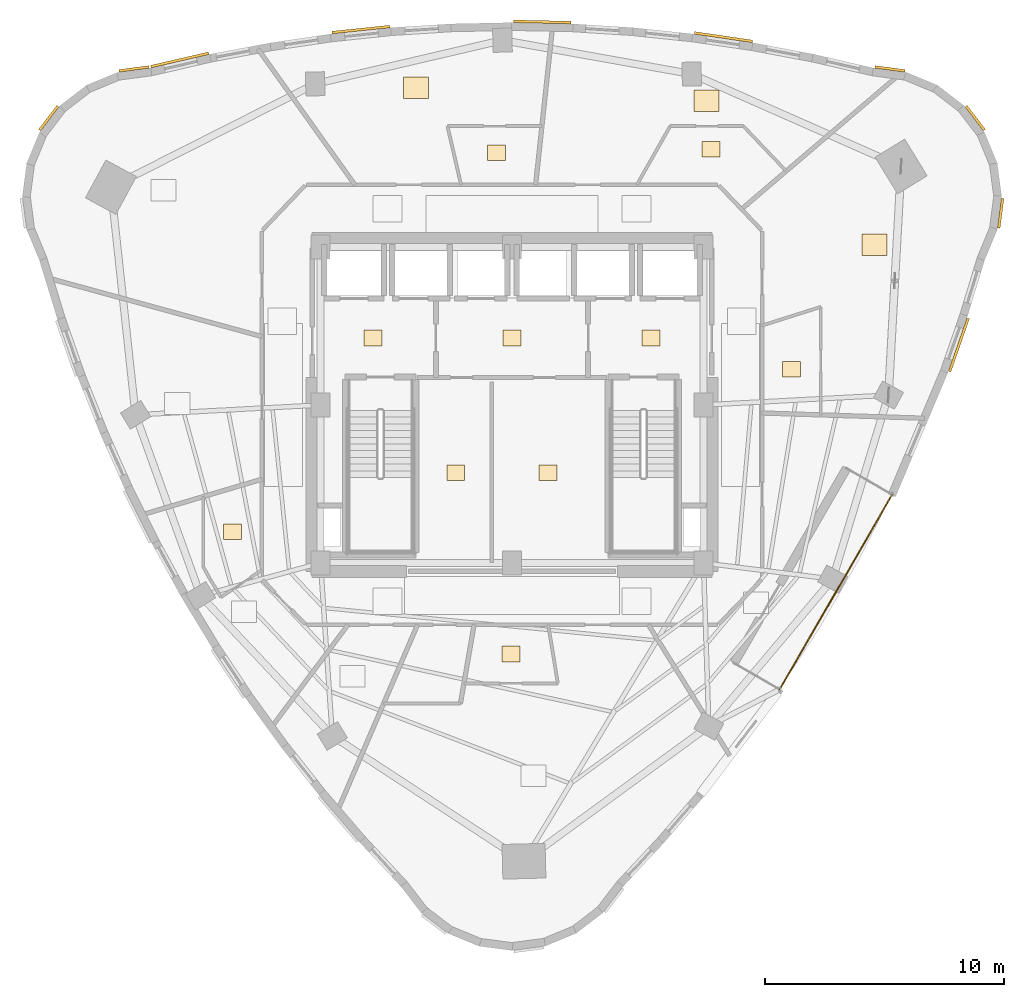
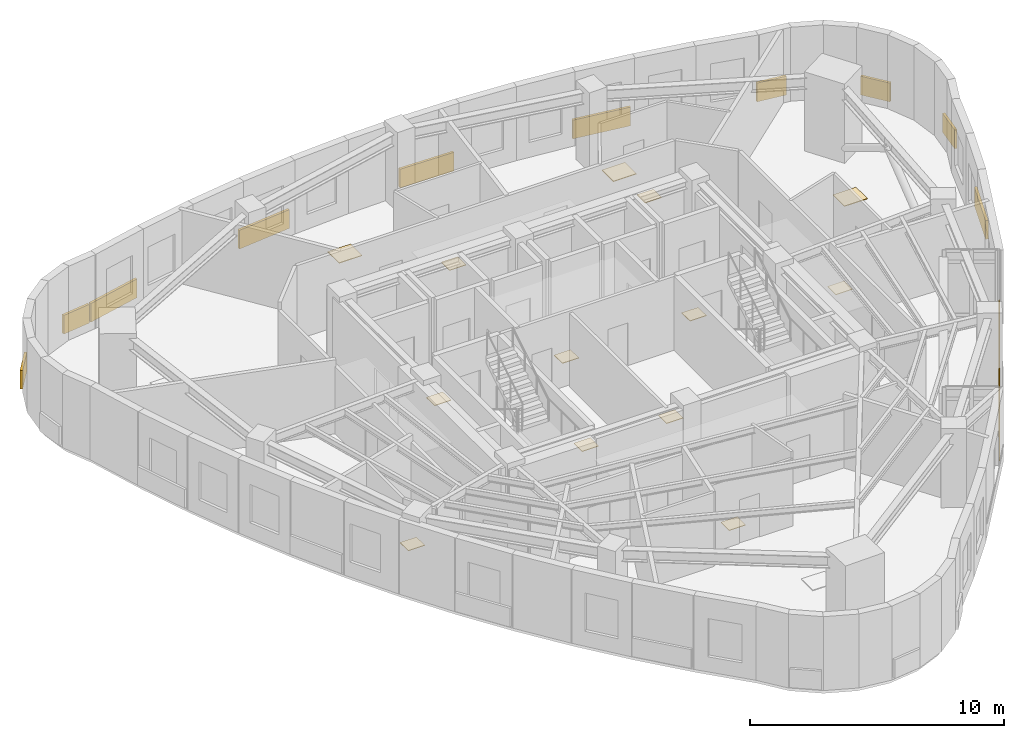
# One storey, part 12 of 12: 23 coverings, 1 railing.
"""IFC4 building model written with IfcOpenShell, lengths in metres."""

from ifc_helpers import new_model, si_unit, direction, frame, origin, origin_2d, place, context, subcontext, project, spatial, rectangle, circle, extrude, material, layer, layer_set, type_object, element, save


model = new_model("IFC4")

# Units and contexts
model_context = context("Model", 3, precision=1e-05, world=origin(), true_north=direction((0.0, 1.0)))
body_context = subcontext(model_context, "Body", "Model", "MODEL_VIEW")
ifc_project = project(units=[si_unit("LENGTHUNIT", "METRE"), si_unit("AREAUNIT", "SQUARE_METRE"), si_unit("VOLUMEUNIT", "CUBIC_METRE"), si_unit("PLANEANGLEUNIT", "RADIAN"), si_unit("MASSUNIT", "GRAM", prefix="KILO")], contexts=[model_context])

# Site, building, storey
site_placement = place(None, origin())
site = spatial("IfcSite", under=ifc_project, at=site_placement, CompositionType="ELEMENT")
building_placement = place(site_placement, origin())
building = spatial("IfcBuilding", under=site, at=building_placement, Name="Ndelora Gate Hotel", CompositionType="ELEMENT")
storey_placement = place(building_placement, frame((0.0, 0.0, 213.14990234375)))
storey = spatial("IfcBuildingStorey", under=building, at=storey_placement, Name="L53", CompositionType="ELEMENT", Elevation=213.14990234375)

# Coverings
ifc_material_1 = material(Name="Terracotta Fired Clay Brick Slip Cladding", Category="masonry")
ifc_layer_1 = layer(ifc_material_1, 0.110107421875)
ifc_layer_set_1 = layer_set([ifc_layer_1], Name="Terracotta Fired Clay Brick Slip Cladding")
covering_type_1 = type_object("IfcCoveringType", Name="COV-CLAD-BRK", PredefinedType="CLADDING", material=ifc_layer_set_1)
for number, where, z_axis, x_axis, name in (
    (1, (-15.794677734375, 14.0419921875, 0.10009765625), (0.0, 0.0, 1.0), (0.991444861374, 0.13052619222, 0.0), "L53 Rounded-Corner Brick Cladding Band 1"),
    (2, (-19.356689453125, 11.985595703125, 0.10009765625), (0.0, 0.0, 1.0), (0.608761429009, 0.793353340291, 0.0), "L53 Rounded-Corner Brick Cladding Band 4"),
):
    element("IfcCovering", number, at=place(storey_placement, frame(where, z_axis=z_axis, x_axis=x_axis)), inside=storey, type_object=covering_type_1, Name=name, PredefinedType="CLADDING", context=body_context, shape_type="SweptSolid", body=[
        extrude(rectangle(XDim=1.258056640625, YDim=0.110107421875, at=origin_2d()), origin(), (0.0, 0.0, 1.0), 0.89990234375),
    ])
covering_1_placement = place(storey_placement, frame((18.67626953125, 2.51025390625, 0.10009765625), z_axis=(0.0, 0.0, 1.0), x_axis=(0.32837212737, 0.94454843495, 0.0)))
element("IfcCovering", 3, at=covering_1_placement, inside=storey, type_object=covering_type_1, Name="L53 Rounded-Corner Brick Cladding Band 37", PredefinedType="CLADDING", context=body_context, shape_type="SweptSolid", body=[
    extrude(rectangle(XDim=2.35888671875, YDim=0.110107421875, at=origin_2d()), origin(), (0.0, 0.0, 1.0), 0.89990234375),
])
covering_2_placement = place(storey_placement, frame((20.42138671875, 8.0126953125, 0.10009765625), z_axis=(0.0, 0.0, 1.0), x_axis=(0.13052619222, 0.991444861374, 0.0)))
element("IfcCovering", 4, at=covering_2_placement, inside=storey, type_object=covering_type_1, Name="L53 Rounded-Corner Brick Cladding Band 40", PredefinedType="CLADDING", context=body_context, shape_type="SweptSolid", body=[
    extrude(rectangle(XDim=1.257080078125, YDim=0.110107421875, at=origin_2d()), origin(), (0.0, 0.0, 1.0), 0.89990234375),
])
for number, where, z_axis, x_axis, name in (
    (5, (19.356689453125, 11.985595703125, 0.10009765625), (0.0, 0.0, 1.0), (-0.608761429009, 0.793353340291, 0.0), "L53 Rounded-Corner Brick Cladding Band 43"),
    (6, (15.794677734375, 14.0419921875, 0.10009765625), (0.0, 0.0, 1.0), (-0.991444861374, 0.13052619222, 0.0), "L53 Rounded-Corner Brick Cladding Band 46"),
):
    element("IfcCovering", number, at=place(storey_placement, frame(where, z_axis=z_axis, x_axis=x_axis)), inside=storey, type_object=covering_type_1, Name=name, PredefinedType="CLADDING", context=body_context, shape_type="SweptSolid", body=[
        extrude(rectangle(XDim=1.258056640625, YDim=0.110107421875, at=origin_2d()), origin(), (0.0, 0.0, 1.0), 0.89990234375),
    ])
covering_3_placement = place(storey_placement, frame((8.836181640625, 15.37060546875, 0.10009765625), z_axis=(0.0, 0.0, 1.0), x_axis=(-0.989399437751, 0.145219670077, 0.0)))
element("IfcCovering", 7, at=covering_3_placement, inside=storey, type_object=covering_type_1, Name="L53 Rounded-Corner Brick Cladding Band 49", PredefinedType="CLADDING", context=body_context, shape_type="SweptSolid", body=[
    extrude(rectangle(XDim=2.44189453125, YDim=0.110107421875, at=origin_2d()), origin(), (0.0, 0.0, 1.0), 0.89990234375),
])
covering_4_placement = place(storey_placement, frame((1.262451171875, 16.006103515625, 0.10009765625), z_axis=(0.0, 0.0, 1.0), x_axis=(-0.999780683475, 0.020942419883, 0.0)))
element("IfcCovering", 8, at=covering_4_placement, inside=storey, type_object=covering_type_1, Name="L53 Rounded-Corner Brick Cladding Band 52", PredefinedType="CLADDING", context=body_context, shape_type="SweptSolid", body=[
    extrude(rectangle(XDim=2.416015625, YDim=0.110107421875, at=origin_2d()), origin(), (0.0, 0.0, 1.0), 0.89990234375),
])
covering_5_placement = place(storey_placement, frame((-6.311767578125, 15.688232421875, 0.10009765625), z_axis=(0.0, 0.0, 1.0), x_axis=(0.994540123879, 0.104354884861, 0.0)))
element("IfcCovering", 9, at=covering_5_placement, inside=storey, type_object=covering_type_1, Name="L53 Rounded-Corner Brick Cladding Band 55", PredefinedType="CLADDING", context=body_context, shape_type="SweptSolid", body=[
    extrude(rectangle(XDim=2.428955078125, YDim=0.110107421875, at=origin_2d()), origin(), (0.0, 0.0, 1.0), 0.89990234375),
])
covering_6_placement = place(storey_placement, frame((-13.884521484375, 14.417236328125, 0.10009765625), z_axis=(0.0, 0.0, 1.0), x_axis=(0.974370064785, 0.224951054344, 0.0)))
element("IfcCovering", 10, at=covering_6_placement, inside=storey, type_object=covering_type_1, Name="L53 Rounded-Corner Brick Cladding Band 58", PredefinedType="CLADDING", context=body_context, shape_type="SweptSolid", body=[
    extrude(rectangle(XDim=2.48193359375, YDim=0.110107421875, at=origin_2d()), origin(), (0.0, 0.0, 1.0), 0.89990234375),
])
ifc_material_2 = material(Name="Engineered Highland Oak Parquet", Category="wood")
ifc_layer_2 = layer(ifc_material_2, 0.030029296875)
ifc_layer_set_2 = layer_set([ifc_layer_2], Name="Engineered Highland Oak Parquet")
covering_type_2 = type_object("IfcCoveringType", Name="COV-FLR-PARQ", PredefinedType="FLOORING", material=ifc_layer_set_2)
for number, where, z_axis, x_axis, name in (
    (11, (15.14404296875, 6.70458984375, 0.0), (0.0, 0.0, 1.0), (1.0, 0.0, 0.0), "L53 Panoramic King Suite 5602 Oak Parquet Flooring"),
    (12, (8.126953125, 12.718994140625, 0.0), (0.0, 0.0, 1.0), (1.0, 0.0, 0.0), "L53 Royal Ambassador Suite 5603 Oak Parquet Flooring"),
    (13, (-4.016845703125, 13.264892578125, 0.0), (0.0, 0.0, 1.0), (1.0, 0.0, 0.0), "L53 Panoramic Twin Suite 5604 Oak Parquet Flooring"),
):
    element("IfcCovering", number, at=place(storey_placement, frame(where, z_axis=z_axis, x_axis=x_axis)), inside=storey, type_object=covering_type_2, Name=name, PredefinedType="FLOORING", context=body_context, shape_type="SweptSolid", body=[
        extrude(rectangle(XDim=1.050048828125, YDim=0.89990234375, at=origin_2d()), origin(), (0.0, 0.0, 1.0), 0.030029296875),
    ])
ifc_material_3 = material(Name="Non-Slip Porcelain Wet-Room Tile", Category="ceramic")
ifc_layer_3 = layer(ifc_material_3, 0.02490234375)
ifc_layer_set_3 = layer_set([ifc_layer_3], Name="Non-Slip Porcelain Wet-Room Tile")
covering_type_3 = type_object("IfcCoveringType", Name="COV-FLR-TILE", PredefinedType="FLOORING", material=ifc_layer_set_3)
for number, where, z_axis, x_axis, name in (
    (14, (-5.800048828125, 2.800048828125, 0.000244140625), (0.0, 0.0, 1.0), (1.0, 0.0, 0.0), "L53 Firefighting Lift Lobby West Porcelain Tile Flooring"),
    (15, (5.800048828125, 2.800048828125, 0.000244140625), (0.0, 0.0, 1.0), (1.0, 0.0, 0.0), "L53 Firefighting Lift Lobby East Porcelain Tile Flooring"),
    (16, (0.0, 2.800048828125, 0.000244140625), (0.0, 0.0, 1.0), (1.0, 0.0, 0.0), "L53 Central Passenger Lift Lobby Porcelain Tile Flooring"),
    (17, (-2.35009765625, -2.824951171875, 0.000244140625), (0.0, 0.0, 1.0), (1.0, 0.0, 0.0), "L53 Core Electrical Switchroom Porcelain Tile Flooring"),
    (18, (1.5, -2.824951171875, 0.000244140625), (0.0, 0.0, 1.0), (1.0, 0.0, 0.0), "L53 Central Linen Equipment Store Porcelain Tile Flooring"),
    (19, (-0.041015625, -10.405029296875, 0.000244140625), (0.0, 0.0, 1.0), (1.0, 0.0, 0.0), "L53 En-suite Bathroom 5601 Porcelain Tile Flooring"),
    (20, (11.675048828125, 1.496826171875, 0.000244140625), (0.0, 0.0, 1.0), (1.0, 0.0, 0.0), "L53 En-suite Bathroom 5602 Porcelain Tile Flooring"),
    (21, (8.319091796875, 10.693359375, 0.000244140625), (0.0, 0.0, 1.0), (1.0, 0.0, 0.0), "L53 En-suite Bathroom 5603 Porcelain Tile Flooring"),
    (22, (-0.65380859375, 10.538818359375, 0.000244140625), (0.0, 0.0, 1.0), (1.0, 0.0, 0.0), "L53 En-suite Bathroom 5604 Porcelain Tile Flooring"),
    (23, (-11.675048828125, -5.3037109375, 0.000244140625), (0.0, 0.0, 1.0), (1.0, 0.0, 0.0), "L53 En-suite Bathroom 5605 Porcelain Tile Flooring"),
):
    element("IfcCovering", number, at=place(storey_placement, frame(where, z_axis=z_axis, x_axis=x_axis)), inside=storey, type_object=covering_type_3, Name=name, PredefinedType="FLOORING", context=body_context, shape_type="SweptSolid", body=[
        extrude(rectangle(XDim=0.75, YDim=0.64990234375, at=origin_2d()), origin(), (0.0, 0.0, 1.0), 0.02490234375),
    ])

# Railing
ifc_material_4 = material(Name="Laminated Safety Glass and Bronze Top Rail", Category="glass")
ifc_layer_4 = layer(ifc_material_4, 0.070068359375)
ifc_layer_set_4 = layer_set([ifc_layer_4], Name="Laminated Safety Glass and Bronze Top Rail")
railing_type = type_object("IfcRailingType", Name="RL-BAL-1150", PredefinedType="BALUSTRADE", material=ifc_layer_set_4)
railing_placement = place(storey_placement, frame((11.185791015625, -11.88525390625, 0.0)))
element("IfcRailing", 24, at=railing_placement, inside=storey, type_object=railing_type, Name="L53 Sky-Garden Loggia Terrace Balustrade", PredefinedType="BALUSTRADE", context=body_context, shape_type="SweptSolid", body=[
    extrude(circle(Radius=0.02392578125, at=origin_2d()), frame((0.0, 0.0, 1.1357421875), z_axis=(0.500016218704, 0.866016039709, 0.0), x_axis=(-0.866016039709, 0.500016218704, 0.0)), (0.0, 0.0, 1.0), 9.400146484375),
    extrude(circle(Radius=0.02099609375, at=origin_2d()), origin(), (0.0, 0.0, 1.0), 1.11181640625),
    extrude(circle(Radius=0.02099609375, at=origin_2d()), frame((0.58740234375, 1.017578125, 0.0)), (0.0, 0.0, 1.0), 1.11181640625),
    extrude(circle(Radius=0.02099609375, at=origin_2d()), frame((1.175048828125, 2.03515625, 0.0)), (0.0, 0.0, 1.0), 1.11181640625),
    extrude(circle(Radius=0.02099609375, at=origin_2d()), frame((1.7626953125, 3.052734375, 0.0)), (0.0, 0.0, 1.0), 1.11181640625),
    extrude(circle(Radius=0.02099609375, at=origin_2d()), frame((2.35009765625, 4.0703125, 0.0)), (0.0, 0.0, 1.0), 1.11181640625),
    extrude(circle(Radius=0.02099609375, at=origin_2d()), frame((2.9375, 5.087890625, 0.0)), (0.0, 0.0, 1.0), 1.11181640625),
    extrude(circle(Radius=0.02099609375, at=origin_2d()), frame((3.525146484375, 6.10546875, 0.0)), (0.0, 0.0, 1.0), 1.11181640625),
    extrude(circle(Radius=0.02099609375, at=origin_2d()), frame((4.11279296875, 7.123046875, 0.0)), (0.0, 0.0, 1.0), 1.11181640625),
    extrude(circle(Radius=0.02099609375, at=origin_2d()), frame((4.7001953125, 8.140625, 0.0)), (0.0, 0.0, 1.0), 1.11181640625),
])

save(model, "model.ifc")
